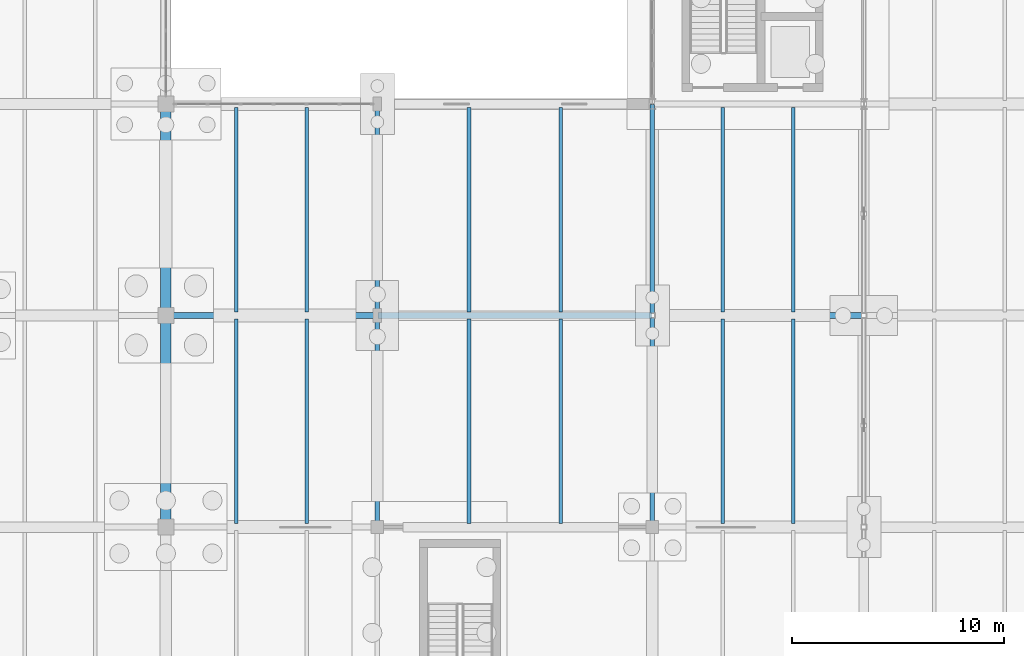
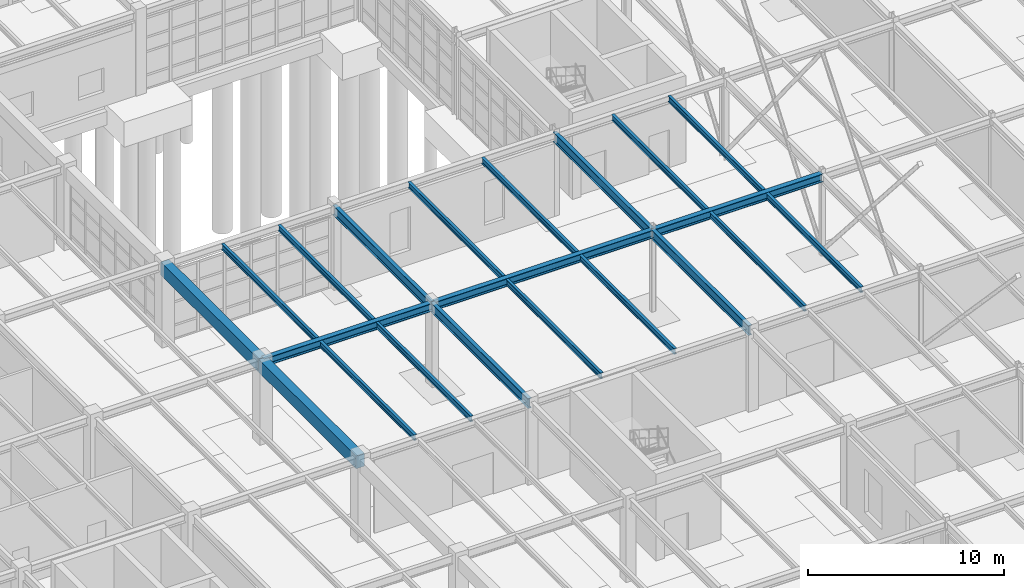
# One storey, part 38 of 145: 21 beams.
"""IFC4 building model written with IfcOpenShell, lengths in metres."""

from ifc_helpers import new_model, si_unit, direction, frame, origin, origin_2d, place, context, subcontext, project, spatial, rectangle, i_section, extrude, material, material_profile, profile_set, type_object, element, save


model = new_model("IFC4")

# Units and contexts
model_context = context("Model", 3, precision=1e-05, world=origin(), true_north=direction((0.0, 1.0)))
body_context = subcontext(model_context, "Body", "Model", "MODEL_VIEW")
ifc_project = project(units=[si_unit("LENGTHUNIT", "METRE"), si_unit("AREAUNIT", "SQUARE_METRE"), si_unit("VOLUMEUNIT", "CUBIC_METRE"), si_unit("PLANEANGLEUNIT", "RADIAN"), si_unit("MASSUNIT", "GRAM", prefix="KILO"), si_unit("THERMODYNAMICTEMPERATUREUNIT", "KELVIN"), si_unit("POWERUNIT", "WATT")], contexts=[model_context])

# Site, building, storey
site_placement = place(None, origin())
site = spatial("IfcSite", under=ifc_project, at=site_placement, CompositionType="ELEMENT")
building_placement = place(site_placement, origin())
building = spatial("IfcBuilding", under=site, at=building_placement, Name="Korenveer Ferry Terminal", CompositionType="ELEMENT")
storey_placement = place(building_placement, origin())
storey = spatial("IfcBuildingStorey", under=building, at=storey_placement, Name="L00", CompositionType="ELEMENT", Elevation=0.0)

# Beams
ifc_material_1 = material(Name="Steel S355", Category="steel")
ifc_material_profile_1 = material_profile(ifc_material_1, i_section(OverallWidth=0.300048828125, OverallDepth=0.5, WebThickness=0.014404296875, FlangeThickness=0.028076171875, FilletRadius=0.027099609375, at=origin_2d()), Name="HEB 500")
ifc_profile_set_1 = profile_set([ifc_material_profile_1], Name="Steel S355")
beam_type_1 = type_object("IfcBeamType", Name="STR-BM-HEB500", PredefinedType="BEAM", material=ifc_profile_set_1)
beam_1_placement = place(storey_placement, frame((30.02001953125, 40.0, 4.8701171875), z_axis=(1.0, 0.0, 0.0), x_axis=(0.0, 1.0, 0.0)))
element("IfcBeam", 1, at=beam_1_placement, inside=storey, type_object=beam_type_1, Name="Primary X girder BMX-L01-X30-40-Y40", PredefinedType="BEAM", context=body_context, shape_type="SweptSolid", body=[
    extrude(i_section(OverallWidth=0.300048828125, OverallDepth=0.5, WebThickness=0.014404296875, FlangeThickness=0.028076171875, FilletRadius=0.027099609375, at=origin_2d()), origin(), (0.0, 0.0, 1.0), 9.9599609375),
])
beam_2_placement = place(storey_placement, frame((40.02001953125, 40.0, 4.8701171875), z_axis=(1.0, 0.0, 0.0), x_axis=(0.0, 1.0, 0.0)))
element("IfcBeam", 2, at=beam_2_placement, inside=storey, type_object=beam_type_1, Name="Primary X girder BMX-L01-X40-53-Y40", PredefinedType="BEAM", context=body_context, shape_type="SweptSolid", body=[
    extrude(i_section(OverallWidth=0.300048828125, OverallDepth=0.5, WebThickness=0.014404296875, FlangeThickness=0.028076171875, FilletRadius=0.027099609375, at=origin_2d()), origin(), (0.0, 0.0, 1.0), 12.9599609375),
])
beam_3_placement = place(storey_placement, frame((53.02001953125, 40.0, 4.8701171875), z_axis=(1.0, 0.0, 0.0), x_axis=(0.0, 1.0, 0.0)))
element("IfcBeam", 3, at=beam_3_placement, inside=storey, type_object=beam_type_1, Name="Primary X girder BMX-L01-X53-63-Y40", PredefinedType="BEAM", context=body_context, shape_type="SweptSolid", body=[
    extrude(i_section(OverallWidth=0.300048828125, OverallDepth=0.5, WebThickness=0.014404296875, FlangeThickness=0.028076171875, FilletRadius=0.027099609375, at=origin_2d()), origin(), (0.0, 0.0, 1.0), 9.9599609375),
])
ifc_material_profile_2 = material_profile(ifc_material_1, i_section(OverallWidth=0.219970703125, OverallDepth=0.60009765625, WebThickness=0.011962890625, FlangeThickness=0.01904296875, FilletRadius=0.02392578125, at=origin_2d()), Name="IPE 600")
ifc_profile_set_2 = profile_set([ifc_material_profile_2], Name="Steel S355")
beam_type_2 = type_object("IfcBeamType", Name="STR-BM-IPE600", PredefinedType="BEAM", material=ifc_profile_set_2)
for number, where, z_axis, x_axis, name in (
    (4, (40.0, 30.02001953125, 4.820068359375), (0.0, 1.0, 0.0), (-1.0, 0.0, 0.0), "Primary Y girder BMY-L01-X40-Y30-40"),
    (5, (40.0, 40.02001953125, 4.820068359375), (0.0, 1.0, 0.0), (-1.0, 0.0, 0.0), "Primary Y girder BMY-L01-X40-Y40-50"),
    (6, (53.0, 30.02001953125, 4.820068359375), (0.0, 1.0, 0.0), (-1.0, 0.0, 0.0), "Primary Y girder BMY-L01-X53-Y30-40"),
    (7, (53.0, 40.02001953125, 4.820068359375), (0.0, 1.0, 0.0), (-1.0, 0.0, 0.0), "Primary Y girder BMY-L01-X53-Y40-50"),
):
    element("IfcBeam", number, at=place(storey_placement, frame(where, z_axis=z_axis, x_axis=x_axis)), inside=storey, type_object=beam_type_2, Name=name, PredefinedType="BEAM", context=body_context, shape_type="SweptSolid", body=[
        extrude(i_section(OverallWidth=0.219970703125, OverallDepth=0.60009765625, WebThickness=0.011962890625, FlangeThickness=0.01904296875, FilletRadius=0.02392578125, at=origin_2d()), origin(), (0.0, 0.0, 1.0), 9.9599609375),
    ])
ifc_material_2 = material(Name="Concrete C40/50", Category="concrete")
ifc_material_profile_3 = material_profile(ifc_material_2, rectangle(XDim=0.5, YDim=0.800048828125, at=origin_2d()), Name="RC 500x800")
ifc_profile_set_3 = profile_set([ifc_material_profile_3], Name="Concrete C40/50")
beam_type_3 = type_object("IfcBeamType", Name="STR-BM-RC500X800", PredefinedType="BEAM", material=ifc_profile_set_3)
for number, where, z_axis, x_axis, name in (
    (8, (30.0, 30.02001953125, 4.719970703125), (0.0, 1.0, 0.0), (-1.0, 0.0, 0.0), "Primary Y girder BMY-L01-X30-Y30-40"),
    (9, (30.0, 40.02001953125, 4.719970703125), (0.0, 1.0, 0.0), (-1.0, 0.0, 0.0), "Primary Y girder BMY-L01-X30-Y40-50"),
):
    element("IfcBeam", number, at=place(storey_placement, frame(where, z_axis=z_axis, x_axis=x_axis)), inside=storey, type_object=beam_type_3, Name=name, PredefinedType="BEAM", context=body_context, shape_type="SweptSolid", body=[
        extrude(rectangle(XDim=0.5, YDim=0.800048828125, at=origin_2d()), origin(), (0.0, 0.0, 1.0), 9.9599609375),
    ])
ifc_material_profile_4 = material_profile(ifc_material_1, i_section(OverallWidth=0.169921875, OverallDepth=0.360107421875, WebThickness=0.008056640625, FlangeThickness=0.0126953125, FilletRadius=0.01806640625, at=origin_2d()), Name="IPE 360")
ifc_profile_set_4 = profile_set([ifc_material_profile_4], Name="Steel S355")
beam_type_4 = type_object("IfcBeamType", Name="STR-JST-IPE360", PredefinedType="JOIST", material=ifc_profile_set_4)
for number, where, z_axis, x_axis, name in (
    (10, (33.333251953125, 30.159912109375, 4.93994140625), (0.0, 1.0, 0.0), (-1.0, 0.0, 0.0), "Secondary composite joist JST-L01-X333-Y30-40"),
    (11, (36.666748046875, 30.159912109375, 4.93994140625), (0.0, 1.0, 0.0), (-1.0, 0.0, 0.0), "Secondary composite joist JST-L01-X367-Y30-40"),
    (12, (33.333251953125, 40.159912109375, 4.93994140625), (0.0, 1.0, 0.0), (-1.0, 0.0, 0.0), "Secondary composite joist JST-L01-X333-Y40-50"),
    (13, (36.666748046875, 40.159912109375, 4.93994140625), (0.0, 1.0, 0.0), (-1.0, 0.0, 0.0), "Secondary composite joist JST-L01-X367-Y40-50"),
    (14, (44.333251953125, 30.159912109375, 4.93994140625), (0.0, 1.0, 0.0), (-1.0, 0.0, 0.0), "Secondary composite joist JST-L01-X443-Y30-40"),
    (15, (48.666748046875, 30.159912109375, 4.93994140625), (0.0, 1.0, 0.0), (-1.0, 0.0, 0.0), "Secondary composite joist JST-L01-X487-Y30-40"),
    (16, (44.333251953125, 40.159912109375, 4.93994140625), (0.0, 1.0, 0.0), (-1.0, 0.0, 0.0), "Secondary composite joist JST-L01-X443-Y40-50"),
    (17, (48.666748046875, 40.159912109375, 4.93994140625), (0.0, 1.0, 0.0), (-1.0, 0.0, 0.0), "Secondary composite joist JST-L01-X487-Y40-50"),
    (18, (56.333251953125, 30.159912109375, 4.93994140625), (0.0, 1.0, 0.0), (-1.0, 0.0, 0.0), "Secondary composite joist JST-L01-X563-Y30-40"),
    (19, (59.666748046875, 30.159912109375, 4.93994140625), (0.0, 1.0, 0.0), (-1.0, 0.0, 0.0), "Secondary composite joist JST-L01-X597-Y30-40"),
    (20, (56.333251953125, 40.159912109375, 4.93994140625), (0.0, 1.0, 0.0), (-1.0, 0.0, 0.0), "Secondary composite joist JST-L01-X563-Y40-50"),
    (21, (59.666748046875, 40.159912109375, 4.93994140625), (0.0, 1.0, 0.0), (-1.0, 0.0, 0.0), "Secondary composite joist JST-L01-X597-Y40-50"),
):
    element("IfcBeam", number, at=place(storey_placement, frame(where, z_axis=z_axis, x_axis=x_axis)), inside=storey, type_object=beam_type_4, Name=name, PredefinedType="JOIST", context=body_context, shape_type="SweptSolid", body=[
        extrude(i_section(OverallWidth=0.169921875, OverallDepth=0.360107421875, WebThickness=0.008056640625, FlangeThickness=0.0126953125, FilletRadius=0.01806640625, at=origin_2d()), origin(), (0.0, 0.0, 1.0), 9.68017578125),
    ])

save(model, "model.ifc")
